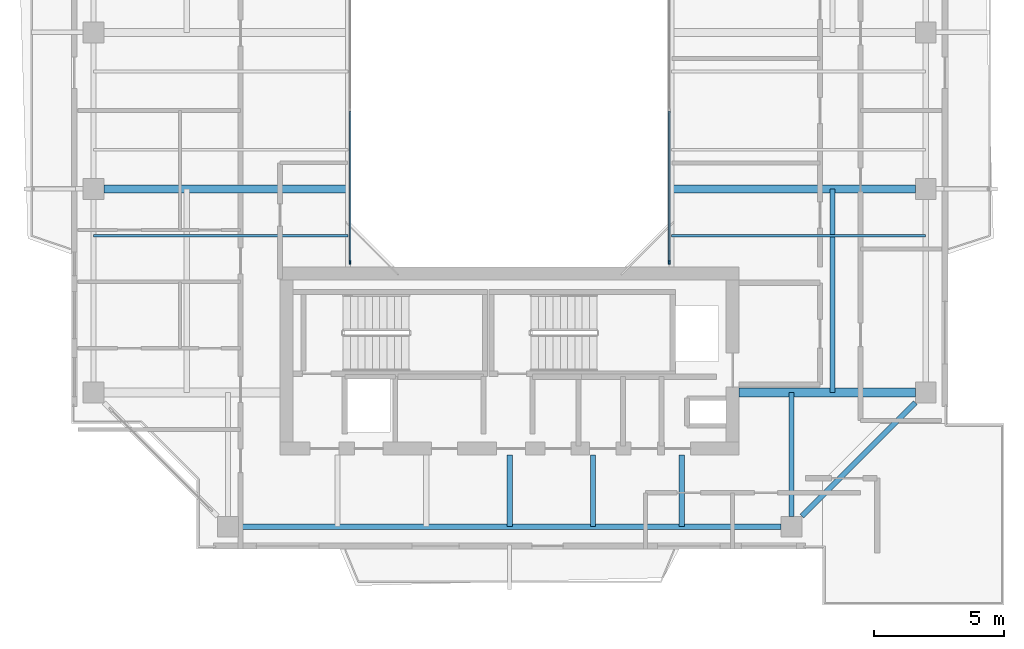
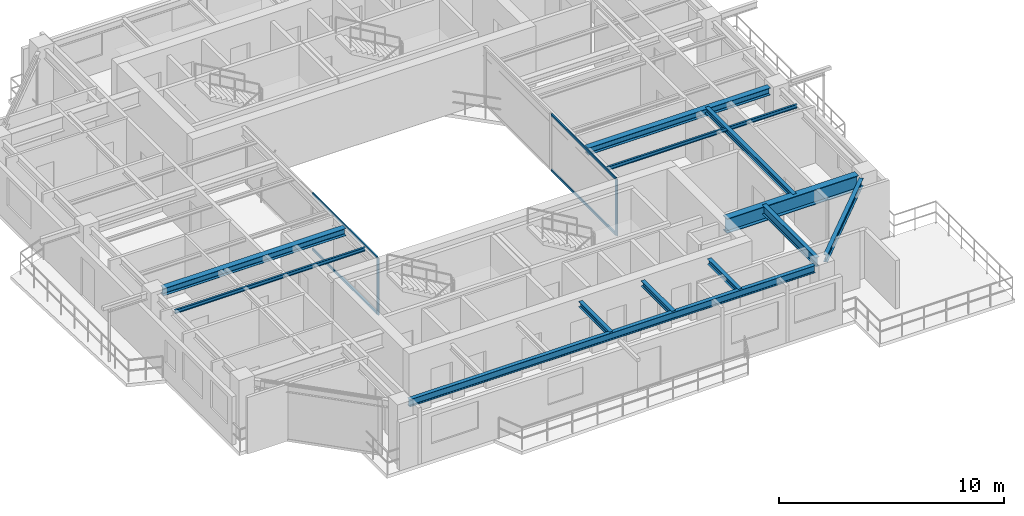
# One storey, part 4 of 15: 12 beams, 6 members, 2 elements without a shape of their own.
"""IFC4 building model written with IfcOpenShell, lengths in metres."""

from ifc_helpers import new_model, si_unit, direction, frame, origin, origin_2d, place, context, subcontext, project, spatial, rectangle, i_section, extrude, source, transform, mapped, material, layer, layer_set, material_profile, profile_set, type_object, element, aggregate, save


model = new_model("IFC4")

# Units and contexts
model_context = context("Model", 3, precision=1e-05, world=origin(), true_north=direction((0.0, 1.0)))
body_context = subcontext(model_context, "Body", "Model", "MODEL_VIEW")
ifc_project = project(units=[si_unit("LENGTHUNIT", "METRE"), si_unit("AREAUNIT", "SQUARE_METRE"), si_unit("VOLUMEUNIT", "CUBIC_METRE"), si_unit("PLANEANGLEUNIT", "RADIAN"), si_unit("MASSUNIT", "GRAM", prefix="KILO"), si_unit("THERMODYNAMICTEMPERATUREUNIT", "KELVIN"), si_unit("POWERUNIT", "WATT")], contexts=[model_context])

# Site, building, storey
site_placement = place(None, origin())
site = spatial("IfcSite", under=ifc_project, at=site_placement, CompositionType="ELEMENT")
building_placement = place(site_placement, origin())
building = spatial("IfcBuilding", under=site, at=building_placement, Name="Qiaomeng Ring Towers", CompositionType="ELEMENT")
storey_placement = place(building_placement, frame((0.0, 0.0, 213.25)))
storey = spatial("IfcBuildingStorey", under=building, at=storey_placement, Name="L62", CompositionType="ELEMENT", Elevation=213.25)

# Beams
ifc_material_1 = material(Name="Steel Q355B", Category="steel")
ifc_material_profile_1 = material_profile(ifc_material_1, i_section(OverallWidth=0.198974609375, OverallDepth=0.39599609375, WebThickness=0.007080078125, FlangeThickness=0.010986328125, FilletRadius=0.01611328125, at=origin_2d()), Name="HN 396x199x7x11")
ifc_profile_set_1 = profile_set([ifc_material_profile_1], Name="Steel Q355B")
beam_type_1 = type_object("IfcBeamType", Name="STR-BM-HN396", PredefinedType="SPANDREL", material=ifc_profile_set_1)
shared_shape_1 = source(origin(), body_context, "Body", "SweptSolid", [
    extrude(i_section(OverallWidth=0.198974609375, OverallDepth=0.39599609375, WebThickness=0.007080078125, FlangeThickness=0.010986328125, FilletRadius=0.01611328125, at=origin_2d()), origin(), (0.0, 0.0, 1.0), 20.8017578125),
])
beam_1_placement = place(storey_placement, frame((8.59912109375, 7.050048828125, 2.8720703125), z_axis=(1.0, 0.0, 0.0), x_axis=(0.0, 1.0, 0.0)))
element("IfcBeam", 1, at=beam_1_placement, inside=storey, type_object=beam_type_1, Name="L62 beam STR-SP-L62-T1-S1-S2", PredefinedType="SPANDREL", context=body_context, shape_type="MappedRepresentation", body=[
    mapped(shared_shape_1, transform((0.0, 0.0, 0.0), x_axis=(1.0, 0.0, 0.0), y_axis=(0.0, 1.0, 0.0), z_axis=(0.0, 0.0, 1.0), scale=1.0)),
])
shared_shape_2 = source(origin(), body_context, "Body", "SweptSolid", [
    extrude(i_section(OverallWidth=0.198974609375, OverallDepth=0.39599609375, WebThickness=0.007080078125, FlangeThickness=0.010986328125, FilletRadius=0.01611328125, at=origin_2d()), origin(), (0.0, 0.0, 1.0), 6.154052734375),
])
beam_2_placement = place(storey_placement, frame((30.19921875, 7.44921875, 2.8720703125), z_axis=(0.707106781187, 0.707106781187, 0.0), x_axis=(-0.707106781187, 0.707106781187, 0.0)))
element("IfcBeam", 2, at=beam_2_placement, inside=storey, type_object=beam_type_1, Name="L62 beam STR-SP-L62-T1-S2-E1", PredefinedType="SPANDREL", context=body_context, shape_type="MappedRepresentation", body=[
    mapped(shared_shape_2, transform((0.0, 0.0, 0.0), x_axis=(1.0, 0.0, 0.0), y_axis=(0.0, 1.0, 0.0), z_axis=(0.0, 0.0, 1.0), scale=1.0)),
])
ifc_material_2 = material(Name="Steel Q390GJC", Category="steel")
ifc_material_profile_2 = material_profile(ifc_material_2, i_section(OverallWidth=0.35009765625, OverallDepth=0.800048828125, WebThickness=0.01611328125, FlangeThickness=0.028076171875, at=origin_2d()), Name="WH 800x350x16x28")
ifc_profile_set_2 = profile_set([ifc_material_profile_2], Name="Steel Q390GJC")
beam_type_2 = type_object("IfcBeamType", Name="STR-BM-WH800", PredefinedType="BEAM", material=ifc_profile_set_2)
shared_shape_3 = source(origin(), body_context, "Body", "SweptSolid", [
    extrude(i_section(OverallWidth=0.35009765625, OverallDepth=0.800048828125, WebThickness=0.01611328125, FlangeThickness=0.028076171875, at=origin_2d()), origin(), (0.0, 0.0, 1.0), 6.7509765625),
])
beam_3_placement = place(storey_placement, frame((27.800048828125, 12.199951171875, 2.669921875), z_axis=(1.0, 0.0, 0.0), x_axis=(0.0, 1.0, 0.0)))
element("IfcBeam", 3, at=beam_3_placement, inside=storey, type_object=beam_type_2, Name="L62 beam STR-BM-L62-T1-RAD-E1", PredefinedType="BEAM", context=body_context, shape_type="MappedRepresentation", body=[
    mapped(shared_shape_3, transform((0.0, 0.0, 0.0), x_axis=(1.0, 0.0, 0.0), y_axis=(0.0, 1.0, 0.0), z_axis=(0.0, 0.0, 1.0), scale=1.0)),
])
ifc_material_profile_3 = material_profile(ifc_material_1, i_section(OverallWidth=0.300048828125, OverallDepth=0.389892578125, WebThickness=0.010009765625, FlangeThickness=0.01611328125, FilletRadius=0.02197265625, at=origin_2d()), Name="HM 390x300x10x16")
ifc_profile_set_3 = profile_set([ifc_material_profile_3], Name="Steel Q355B")
beam_type_3 = type_object("IfcBeamType", Name="STR-BM-HM390", PredefinedType="BEAM", material=ifc_profile_set_3)
shared_shape_4 = source(origin(), body_context, "Body", "SweptSolid", [
    extrude(i_section(OverallWidth=0.300048828125, OverallDepth=0.389892578125, WebThickness=0.010009765625, FlangeThickness=0.01611328125, FilletRadius=0.02197265625, at=origin_2d()), origin(), (0.0, 0.0, 1.0), 9.35107421875),
])
for number, where, z_axis, x_axis, name in (
    (4, (3.448974609375, 20.0, 2.875), (1.0, 0.0, 0.0), (0.0, 1.0, 0.0), "L62 beam STR-BM-L62-T1-RAD-W2"),
    (5, (25.199951171875, 20.0, 2.875), (1.0, 0.0, 0.0), (0.0, 1.0, 0.0), "L62 beam STR-BM-L62-T1-RAD-E2"),
):
    element("IfcBeam", number, at=place(storey_placement, frame(where, z_axis=z_axis, x_axis=x_axis)), inside=storey, type_object=beam_type_3, Name=name, PredefinedType="BEAM", context=body_context, shape_type="MappedRepresentation", body=[
        mapped(shared_shape_4, transform((0.0, 0.0, 0.0), x_axis=(1.0, 0.0, 0.0), y_axis=(0.0, 1.0, 0.0), z_axis=(0.0, 0.0, 1.0), scale=1.0)),
    ])
ifc_material_profile_4 = material_profile(ifc_material_1, i_section(OverallWidth=0.199951171875, OverallDepth=0.2939453125, WebThickness=0.008056640625, FlangeThickness=0.011962890625, FilletRadius=0.01806640625, at=origin_2d()), Name="HM 294x200x8x12")
ifc_profile_set_4 = profile_set([ifc_material_profile_4], Name="Steel Q355B")
beam_type_4 = type_object("IfcBeamType", Name="STR-BM-HM294", PredefinedType="JOIST", material=ifc_profile_set_4)
shared_shape_5 = source(origin(), body_context, "Body", "SweptSolid", [
    extrude(i_section(OverallWidth=0.199951171875, OverallDepth=0.2939453125, WebThickness=0.008056640625, FlangeThickness=0.011962890625, FilletRadius=0.01806640625, at=origin_2d()), origin(), (0.0, 0.0, 1.0), 2.75),
])
for number, where, z_axis, x_axis, name in (
    (6, (19.0, 7.050048828125, 2.923095703125), (0.0, 1.0, 0.0), (-1.0, 0.0, 0.0), "L62 beam STR-JST-L62-T1S-3"),
    (7, (22.199951171875, 7.050048828125, 2.923095703125), (0.0, 1.0, 0.0), (-1.0, 0.0, 0.0), "L62 beam STR-JST-L62-T1S-4"),
    (8, (25.60009765625, 7.050048828125, 2.923095703125), (0.0, 1.0, 0.0), (-1.0, 0.0, 0.0), "L62 beam STR-JST-L62-T1S-5"),
):
    element("IfcBeam", number, at=place(storey_placement, frame(where, z_axis=z_axis, x_axis=x_axis)), inside=storey, type_object=beam_type_4, Name=name, PredefinedType="JOIST", context=body_context, shape_type="MappedRepresentation", body=[
        mapped(shared_shape_5, transform((0.0, 0.0, 0.0), x_axis=(1.0, 0.0, 0.0), y_axis=(0.0, 1.0, 0.0), z_axis=(0.0, 0.0, 1.0), scale=1.0)),
    ])
ifc_material_profile_5 = material_profile(ifc_material_1, i_section(OverallWidth=0.10009765625, OverallDepth=0.199951171875, WebThickness=0.005615234375, FlangeThickness=0.008056640625, FilletRadius=0.010986328125, at=origin_2d()), Name="HN 200x100x5.5x8")
ifc_profile_set_5 = profile_set([ifc_material_profile_5], Name="Steel Q355B")
beam_type_5 = type_object("IfcBeamType", Name="STR-BM-HN200", PredefinedType="JOIST", material=ifc_profile_set_5)
shared_shape_6 = source(origin(), body_context, "Body", "SweptSolid", [
    extrude(i_section(OverallWidth=0.10009765625, OverallDepth=0.199951171875, WebThickness=0.005615234375, FlangeThickness=0.008056640625, FilletRadius=0.010986328125, at=origin_2d()), origin(), (0.0, 0.0, 1.0), 9.75),
])
for number, where, z_axis, x_axis, name in (
    (9, (3.050048828125, 18.199951171875, 2.969970703125), (1.0, 0.0, 0.0), (0.0, 1.0, 0.0), "L62 beam STR-JST-L62-T1W-1"),
    (10, (25.199951171875, 18.199951171875, 2.969970703125), (1.0, 0.0, 0.0), (0.0, 1.0, 0.0), "L62 beam STR-JST-L62-T1E-1"),
):
    element("IfcBeam", number, at=place(storey_placement, frame(where, z_axis=z_axis, x_axis=x_axis)), inside=storey, type_object=beam_type_5, Name=name, PredefinedType="JOIST", context=body_context, shape_type="MappedRepresentation", body=[
        mapped(shared_shape_6, transform((0.0, 0.0, 0.0), x_axis=(1.0, 0.0, 0.0), y_axis=(0.0, 1.0, 0.0), z_axis=(0.0, 0.0, 1.0), scale=1.0)),
    ])
shared_shape_7 = source(origin(), body_context, "Body", "SweptSolid", [
    extrude(i_section(OverallWidth=0.199951171875, OverallDepth=0.2939453125, WebThickness=0.008056640625, FlangeThickness=0.011962890625, FilletRadius=0.01806640625, at=origin_2d()), origin(), (0.0, 0.0, 1.0), 7.800048828125),
])
beam_4_placement = place(storey_placement, frame((31.375, 12.199951171875, 2.923095703125), z_axis=(0.0, 1.0, 0.0), x_axis=(-1.0, 0.0, 0.0)))
element("IfcBeam", 11, at=beam_4_placement, inside=storey, type_object=beam_type_4, Name="L62 beam STR-JST-L62-T1C-ES", PredefinedType="JOIST", context=body_context, shape_type="MappedRepresentation", body=[
    mapped(shared_shape_7, transform((0.0, 0.0, 0.0), x_axis=(1.0, 0.0, 0.0), y_axis=(0.0, 1.0, 0.0), z_axis=(0.0, 0.0, 1.0), scale=1.0)),
])
ifc_material_profile_6 = material_profile(ifc_material_1, i_section(OverallWidth=0.198974609375, OverallDepth=0.49609375, WebThickness=0.009033203125, FlangeThickness=0.013916015625, FilletRadius=0.01806640625, at=origin_2d()), Name="HN 496x199x9x14")
ifc_profile_set_6 = profile_set([ifc_material_profile_6], Name="Steel Q355B")
beam_type_6 = type_object("IfcBeamType", Name="STR-BM-HN496", PredefinedType="BEAM", material=ifc_profile_set_6)
shared_shape_8 = source(origin(), body_context, "Body", "SweptSolid", [
    extrude(i_section(OverallWidth=0.198974609375, OverallDepth=0.49609375, WebThickness=0.009033203125, FlangeThickness=0.013916015625, FilletRadius=0.01806640625, at=origin_2d()), origin(), (0.0, 0.0, 1.0), 4.7509765625),
])
beam_5_placement = place(storey_placement, frame((29.800048828125, 7.448974609375, 2.822021484375), z_axis=(0.0, 1.0, 0.0), x_axis=(-1.0, 0.0, 0.0)))
element("IfcBeam", 12, at=beam_5_placement, inside=storey, type_object=beam_type_6, Name="L62 beam STR-BM-L62-T1-RAD-S2", PredefinedType="BEAM", context=body_context, shape_type="MappedRepresentation", body=[
    mapped(shared_shape_8, transform((0.0, 0.0, 0.0), x_axis=(1.0, 0.0, 0.0), y_axis=(0.0, 1.0, 0.0), z_axis=(0.0, 0.0, 1.0), scale=1.0)),
])

# Curtain wall, member
ifc_material_3 = material(Name="Fluorocarbon dark-grey aluminium", Category="aluminium")
ifc_layer = layer(ifc_material_3, 0.139892578125, Name="Fluorocarbon dark-grey aluminium")
ifc_layer_set = layer_set([ifc_layer], Name="Fluorocarbon dark-grey aluminium")
curtain_wall_type = type_object("IfcCurtainWallType", Name="ARC-CW-4", PredefinedType="NOTDEFINED", material=ifc_layer_set)
curtain_wall_1_placement = place(storey_placement, origin())
curtain_wall_1 = element("IfcCurtainWall", 13, at=curtain_wall_1_placement, inside=storey, type_object=curtain_wall_type, Name="L62 Curtain Wall CW4", PredefinedType="NOTDEFINED")
ifc_material_profile_7 = material_profile(ifc_material_3, rectangle(XDim=0.06494140625, YDim=0.159912109375, at=origin_2d()), Name="ALU MULL 65x160")
ifc_profile_set_7 = profile_set([ifc_material_profile_7], Name="Fluorocarbon dark-grey aluminium")
member_type_1 = type_object("IfcMemberType", Name="ARC-CWM-140", PredefinedType="MULLION", material=ifc_profile_set_7)
shared_shape_9 = source(origin(), body_context, "Body", "SweptSolid", [
    extrude(rectangle(XDim=0.06494140625, YDim=0.159912109375, at=origin_2d()), origin(), (0.0, 0.0, 1.0), 3.070068359375),
])
member_1_placement = place(storey_placement, frame((12.8798828125, 17.1826171875, 0.0), z_axis=(0.0, 0.0, 1.0), x_axis=(-1.0, 0.0, 0.0)))
member_1 = element("IfcMember", 14, at=member_1_placement, type_object=member_type_1, Name="CW4 mullion 1", PredefinedType="MULLION", context=body_context, shape_type="MappedRepresentation", body=[
    mapped(shared_shape_9, transform((0.0, 0.0, 0.0), x_axis=(1.0, 0.0, 0.0), y_axis=(0.0, 1.0, 0.0), z_axis=(0.0, 0.0, 1.0), scale=1.0)),
])

curtain_wall_2_placement = place(storey_placement, origin())
curtain_wall_2 = element("IfcCurtainWall", 15, at=curtain_wall_2_placement, inside=storey, type_object=curtain_wall_type, Name="L62 Curtain Wall CW4", PredefinedType="NOTDEFINED")
member_2_placement = place(storey_placement, frame((25.1201171875, 17.1826171875, 0.0), z_axis=(0.0, 0.0, 1.0), x_axis=(-1.0, 0.0, 0.0)))
member_2 = element("IfcMember", 16, at=member_2_placement, type_object=member_type_1, Name="CW4 mullion 1", PredefinedType="MULLION", context=body_context, shape_type="MappedRepresentation", body=[
    mapped(shared_shape_9, transform((0.0, 0.0, 0.0), x_axis=(1.0, 0.0, 0.0), y_axis=(0.0, 1.0, 0.0), z_axis=(0.0, 0.0, 1.0), scale=1.0)),
])

# Member
ifc_material_profile_8 = material_profile(ifc_material_3, rectangle(XDim=0.06494140625, YDim=0.1298828125, at=origin_2d()), Name="ALU TRAN 65x130")
ifc_profile_set_8 = profile_set([ifc_material_profile_8], Name="Fluorocarbon dark-grey aluminium")
member_type_2 = type_object("IfcMemberType", Name="ARC-CWT-120", PredefinedType="USERDEFINED", material=ifc_profile_set_8)
shared_shape_10 = source(origin(), body_context, "Body", "SweptSolid", [
    extrude(rectangle(XDim=0.06494140625, YDim=0.1298828125, at=origin_2d()), origin(), (0.0, 0.0, 1.0), 5.75244140625),
])
member_3_placement = place(storey_placement, frame((12.8798828125, 17.215087890625, 0.032470703125), z_axis=(0.0, 1.0, 0.0), x_axis=(-1.0, 0.0, 0.0)))
member_3 = element("IfcMember", 17, at=member_3_placement, type_object=member_type_2, Name="CW4 transom 1.1", ObjectType="TRANSOM", PredefinedType="USERDEFINED", context=body_context, shape_type="MappedRepresentation", body=[
    mapped(shared_shape_10, transform((0.0, 0.0, 0.0), x_axis=(1.0, 0.0, 0.0), y_axis=(0.0, 1.0, 0.0), z_axis=(0.0, 0.0, 1.0), scale=1.0)),
])

member_4_placement = place(storey_placement, frame((12.8798828125, 17.215087890625, 3.03759765625), z_axis=(0.0, 1.0, 0.0), x_axis=(-1.0, 0.0, 0.0)))
member_4 = element("IfcMember", 18, at=member_4_placement, type_object=member_type_2, Name="CW4 transom 1.2", ObjectType="TRANSOM", PredefinedType="USERDEFINED", context=body_context, shape_type="MappedRepresentation", body=[
    mapped(shared_shape_10, transform((0.0, 0.0, 0.0), x_axis=(1.0, 0.0, 0.0), y_axis=(0.0, 1.0, 0.0), z_axis=(0.0, 0.0, 1.0), scale=1.0)),
])

aggregate(curtain_wall_1, [member_1, member_3, member_4])

member_5_placement = place(storey_placement, frame((25.1201171875, 17.215087890625, 0.032470703125), z_axis=(0.0, 1.0, 0.0), x_axis=(-1.0, 0.0, 0.0)))
member_5 = element("IfcMember", 19, at=member_5_placement, type_object=member_type_2, Name="CW4 transom 1.1", ObjectType="TRANSOM", PredefinedType="USERDEFINED", context=body_context, shape_type="MappedRepresentation", body=[
    mapped(shared_shape_10, transform((0.0, 0.0, 0.0), x_axis=(1.0, 0.0, 0.0), y_axis=(0.0, 1.0, 0.0), z_axis=(0.0, 0.0, 1.0), scale=1.0)),
])

member_6_placement = place(storey_placement, frame((25.1201171875, 17.215087890625, 3.03759765625), z_axis=(0.0, 1.0, 0.0), x_axis=(-1.0, 0.0, 0.0)))
member_6 = element("IfcMember", 20, at=member_6_placement, type_object=member_type_2, Name="CW4 transom 1.2", ObjectType="TRANSOM", PredefinedType="USERDEFINED", context=body_context, shape_type="MappedRepresentation", body=[
    mapped(shared_shape_10, transform((0.0, 0.0, 0.0), x_axis=(1.0, 0.0, 0.0), y_axis=(0.0, 1.0, 0.0), z_axis=(0.0, 0.0, 1.0), scale=1.0)),
])

aggregate(curtain_wall_2, [member_2, member_5, member_6])

save(model, "model.ifc")
